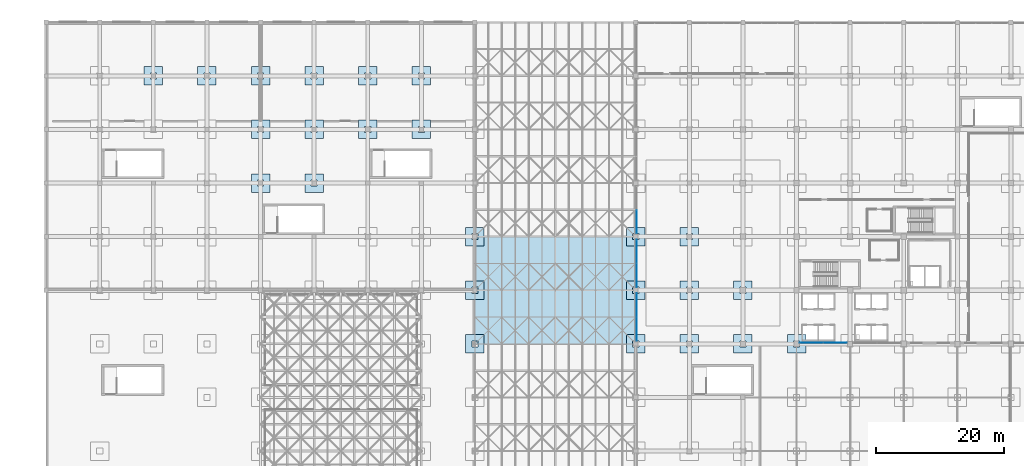
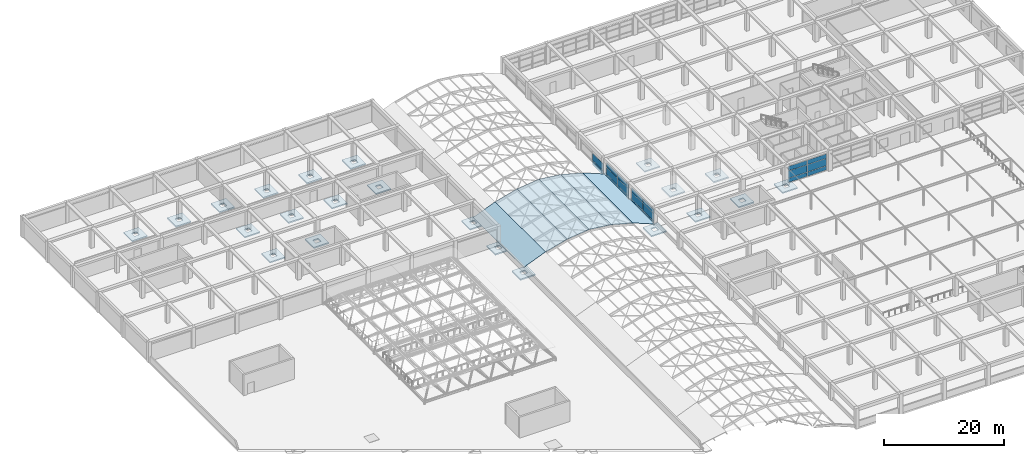
# One storey, part 68 of 85: 30 slabs, 20 plates, 5 elements without a shape of their own.
"""IFC4 building model written with IfcOpenShell, lengths in metres."""

from ifc_helpers import new_model, si_unit, direction, frame, origin, origin_2d, place, context, subcontext, project, spatial, polyline, rectangle, outline, extrude, material, layer, layer_set, type_object, element, aggregate, save


model = new_model("IFC4")

# Units and contexts
model_context = context("Model", 3, precision=1e-05, world=origin(), true_north=direction((0.0, 1.0)))
body_context = subcontext(model_context, "Body", "Model", "MODEL_VIEW")
ifc_project = project(units=[si_unit("LENGTHUNIT", "METRE"), si_unit("AREAUNIT", "SQUARE_METRE"), si_unit("VOLUMEUNIT", "CUBIC_METRE"), si_unit("PLANEANGLEUNIT", "RADIAN"), si_unit("MASSUNIT", "GRAM", prefix="KILO")], contexts=[model_context])

# Site, building, storey
site_placement = place(None, origin())
site = spatial("IfcSite", under=ifc_project, at=site_placement, CompositionType="ELEMENT")
building_placement = place(site_placement, origin())
building = spatial("IfcBuilding", under=site, at=building_placement, Name="Almacenes y Pasaje Nevantli", CompositionType="ELEMENT")
storey_placement = place(building_placement, frame((0.0, 0.0, 22.199951171875)))
storey = spatial("IfcBuildingStorey", under=building, at=storey_placement, Name="L05", CompositionType="ELEMENT", Elevation=22.199951171875)

# Curtain wall, plates
ifc_material_1 = material(Name="Thermally Broken Aluminium and Low-E Glass", Category="aluminium")
curtain_wall_type_1 = type_object("IfcCurtainWallType", Name="CW-STF-ATRIUM", PredefinedType="USERDEFINED", material=ifc_material_1)
curtain_wall_1_placement = place(storey_placement, origin())
curtain_wall_1 = element("IfcCurtainWall", 1, at=curtain_wall_1_placement, inside=storey, type_object=curtain_wall_type_1, Name="L05 Sky-Lobby South Terrace Glazing Bay 15", ObjectType="STOREFRONT GLAZING", PredefinedType="USERDEFINED")
ifc_material_2 = material(Name="Low-E Double Glazed Insulated Unit", Category="glass")
ifc_layer_1 = layer(ifc_material_2, 0.031982421875)
ifc_layer_set_1 = layer_set([ifc_layer_1], Name="Low-E Double Glazed Insulated Unit")
plate_type = type_object("IfcPlateType", Name="PL-IGU-32", PredefinedType="CURTAIN_PANEL", material=ifc_layer_set_1)
plate_1_placement = place(storey_placement, frame((119.938720703125, 67.35009765625, 0.05517578125), z_axis=(0.0, 0.0, 1.0), x_axis=(1.0, 0.0, 0.0)))
plate_1 = element("IfcPlate", 2, at=plate_1_placement, type_object=plate_type, Name="CW-L05-087 panel 1.1", PredefinedType="CURTAIN_PANEL", context=body_context, shape_type="SweptSolid", body=[
    extrude(rectangle(XDim=3.66748046875, YDim=0.031982421875, at=origin_2d()), origin(), (0.0, 0.0, 1.0), 0.8173828125),
])
plate_2_placement = place(storey_placement, frame((119.938720703125, 67.35009765625, 0.927734375), z_axis=(0.0, 0.0, 1.0), x_axis=(1.0, 0.0, 0.0)))
plate_2 = element("IfcPlate", 3, at=plate_2_placement, type_object=plate_type, Name="CW-L05-087 panel 1.2", PredefinedType="CURTAIN_PANEL", context=body_context, shape_type="SweptSolid", body=[
    extrude(rectangle(XDim=3.66748046875, YDim=0.031982421875, at=origin_2d()), origin(), (0.0, 0.0, 1.0), 1.445068359375),
])
plate_3_placement = place(storey_placement, frame((119.938720703125, 67.35009765625, 2.427734375), z_axis=(0.0, 0.0, 1.0), x_axis=(1.0, 0.0, 0.0)))
plate_3 = element("IfcPlate", 4, at=plate_3_placement, type_object=plate_type, Name="CW-L05-087 panel 1.3", PredefinedType="CURTAIN_PANEL", context=body_context, shape_type="SweptSolid", body=[
    extrude(rectangle(XDim=3.66748046875, YDim=0.031982421875, at=origin_2d()), origin(), (0.0, 0.0, 1.0), 0.887451171875),
])
plate_4_placement = place(storey_placement, frame((123.6611328125, 67.35009765625, 0.05517578125), z_axis=(0.0, 0.0, 1.0), x_axis=(1.0, 0.0, 0.0)))
plate_4 = element("IfcPlate", 5, at=plate_4_placement, type_object=plate_type, Name="CW-L05-087 panel 2.1", PredefinedType="CURTAIN_PANEL", context=body_context, shape_type="SweptSolid", body=[
    extrude(rectangle(XDim=3.66748046875, YDim=0.031982421875, at=origin_2d()), origin(), (0.0, 0.0, 1.0), 0.8173828125),
])
plate_5_placement = place(storey_placement, frame((123.6611328125, 67.35009765625, 0.927734375), z_axis=(0.0, 0.0, 1.0), x_axis=(1.0, 0.0, 0.0)))
plate_5 = element("IfcPlate", 6, at=plate_5_placement, type_object=plate_type, Name="CW-L05-087 panel 2.2", PredefinedType="CURTAIN_PANEL", context=body_context, shape_type="SweptSolid", body=[
    extrude(rectangle(XDim=3.66748046875, YDim=0.031982421875, at=origin_2d()), origin(), (0.0, 0.0, 1.0), 1.445068359375),
])
plate_6_placement = place(storey_placement, frame((123.6611328125, 67.35009765625, 2.427734375), z_axis=(0.0, 0.0, 1.0), x_axis=(1.0, 0.0, 0.0)))
plate_6 = element("IfcPlate", 7, at=plate_6_placement, type_object=plate_type, Name="CW-L05-087 panel 2.3", PredefinedType="CURTAIN_PANEL", context=body_context, shape_type="SweptSolid", body=[
    extrude(rectangle(XDim=3.66748046875, YDim=0.031982421875, at=origin_2d()), origin(), (0.0, 0.0, 1.0), 0.887451171875),
])
aggregate(curtain_wall_1, [plate_1, plate_2, plate_3, plate_4, plate_5, plate_6])

ifc_material_3 = material(Name="Thermally Broken Aluminium and Low-E Glass", Category="aluminium")
curtain_wall_type_2 = type_object("IfcCurtainWallType", Name="CW-UNIT-PODIUM", PredefinedType="USERDEFINED", material=ifc_material_3)
curtain_wall_2_placement = place(storey_placement, origin())
curtain_wall_2 = element("IfcCurtainWall", 8, at=curtain_wall_2_placement, inside=storey, type_object=curtain_wall_type_2, Name="L05 Sky-Lobby West Arcade View Curtain Wall Bay 9", ObjectType="UNITIZED CURTAIN WALL", PredefinedType="USERDEFINED")
plate_7_placement = place(storey_placement, frame((92.550048828125, 69.538818359375, 0.05517578125), z_axis=(0.0, 0.0, 1.0), x_axis=(0.0, 1.0, 0.0)))
plate_7 = element("IfcPlate", 9, at=plate_7_placement, type_object=plate_type, Name="CW-L05-096 panel 1.1", PredefinedType="CURTAIN_PANEL", context=body_context, shape_type="SweptSolid", body=[
    extrude(rectangle(XDim=3.66748046875, YDim=0.031982421875, at=origin_2d()), origin(), (0.0, 0.0, 1.0), 0.8173828125),
])
plate_8_placement = place(storey_placement, frame((92.550048828125, 69.538818359375, 0.927734375), z_axis=(0.0, 0.0, 1.0), x_axis=(0.0, 1.0, 0.0)))
plate_8 = element("IfcPlate", 10, at=plate_8_placement, type_object=plate_type, Name="CW-L05-096 panel 1.2", PredefinedType="CURTAIN_PANEL", context=body_context, shape_type="SweptSolid", body=[
    extrude(rectangle(XDim=3.66748046875, YDim=0.031982421875, at=origin_2d()), origin(), (0.0, 0.0, 1.0), 1.445068359375),
])
plate_9_placement = place(storey_placement, frame((92.550048828125, 69.538818359375, 2.427734375), z_axis=(0.0, 0.0, 1.0), x_axis=(0.0, 1.0, 0.0)))
plate_9 = element("IfcPlate", 11, at=plate_9_placement, type_object=plate_type, Name="CW-L05-096 panel 1.3", PredefinedType="CURTAIN_PANEL", context=body_context, shape_type="SweptSolid", body=[
    extrude(rectangle(XDim=3.66748046875, YDim=0.031982421875, at=origin_2d()), origin(), (0.0, 0.0, 1.0), 0.887451171875),
])
plate_10_placement = place(storey_placement, frame((92.550048828125, 73.26123046875, 0.05517578125), z_axis=(0.0, 0.0, 1.0), x_axis=(0.0, 1.0, 0.0)))
plate_10 = element("IfcPlate", 12, at=plate_10_placement, type_object=plate_type, Name="CW-L05-096 panel 2.1", PredefinedType="CURTAIN_PANEL", context=body_context, shape_type="SweptSolid", body=[
    extrude(rectangle(XDim=3.66748046875, YDim=0.031982421875, at=origin_2d()), origin(), (0.0, 0.0, 1.0), 0.8173828125),
])
plate_11_placement = place(storey_placement, frame((92.550048828125, 73.26123046875, 0.927734375), z_axis=(0.0, 0.0, 1.0), x_axis=(0.0, 1.0, 0.0)))
plate_11 = element("IfcPlate", 13, at=plate_11_placement, type_object=plate_type, Name="CW-L05-096 panel 2.2", PredefinedType="CURTAIN_PANEL", context=body_context, shape_type="SweptSolid", body=[
    extrude(rectangle(XDim=3.66748046875, YDim=0.031982421875, at=origin_2d()), origin(), (0.0, 0.0, 1.0), 1.445068359375),
])
plate_12_placement = place(storey_placement, frame((92.550048828125, 73.26123046875, 2.427734375), z_axis=(0.0, 0.0, 1.0), x_axis=(0.0, 1.0, 0.0)))
plate_12 = element("IfcPlate", 14, at=plate_12_placement, type_object=plate_type, Name="CW-L05-096 panel 2.3", PredefinedType="CURTAIN_PANEL", context=body_context, shape_type="SweptSolid", body=[
    extrude(rectangle(XDim=3.66748046875, YDim=0.031982421875, at=origin_2d()), origin(), (0.0, 0.0, 1.0), 0.887451171875),
])
aggregate(curtain_wall_2, [plate_7, plate_8, plate_9, plate_10, plate_11, plate_12])

curtain_wall_3_placement = place(storey_placement, origin())
curtain_wall_3 = element("IfcCurtainWall", 15, at=curtain_wall_3_placement, inside=storey, type_object=curtain_wall_type_2, Name="L05 Sky-Lobby West Arcade View Curtain Wall Bay 10", ObjectType="UNITIZED CURTAIN WALL", PredefinedType="USERDEFINED")
plate_13_placement = place(storey_placement, frame((92.550048828125, 77.938720703125, 0.05517578125), z_axis=(0.0, 0.0, 1.0), x_axis=(0.0, 1.0, 0.0)))
plate_13 = element("IfcPlate", 16, at=plate_13_placement, type_object=plate_type, Name="CW-L05-097 panel 1.1", PredefinedType="CURTAIN_PANEL", context=body_context, shape_type="SweptSolid", body=[
    extrude(rectangle(XDim=3.66748046875, YDim=0.031982421875, at=origin_2d()), origin(), (0.0, 0.0, 1.0), 0.8173828125),
])
plate_14_placement = place(storey_placement, frame((92.550048828125, 77.938720703125, 0.927734375), z_axis=(0.0, 0.0, 1.0), x_axis=(0.0, 1.0, 0.0)))
plate_14 = element("IfcPlate", 17, at=plate_14_placement, type_object=plate_type, Name="CW-L05-097 panel 1.2", PredefinedType="CURTAIN_PANEL", context=body_context, shape_type="SweptSolid", body=[
    extrude(rectangle(XDim=3.66748046875, YDim=0.031982421875, at=origin_2d()), origin(), (0.0, 0.0, 1.0), 1.445068359375),
])
plate_15_placement = place(storey_placement, frame((92.550048828125, 77.938720703125, 2.427734375), z_axis=(0.0, 0.0, 1.0), x_axis=(0.0, 1.0, 0.0)))
plate_15 = element("IfcPlate", 18, at=plate_15_placement, type_object=plate_type, Name="CW-L05-097 panel 1.3", PredefinedType="CURTAIN_PANEL", context=body_context, shape_type="SweptSolid", body=[
    extrude(rectangle(XDim=3.66748046875, YDim=0.031982421875, at=origin_2d()), origin(), (0.0, 0.0, 1.0), 0.887451171875),
])
plate_16_placement = place(storey_placement, frame((92.550048828125, 81.6611328125, 0.05517578125), z_axis=(0.0, 0.0, 1.0), x_axis=(0.0, 1.0, 0.0)))
plate_16 = element("IfcPlate", 19, at=plate_16_placement, type_object=plate_type, Name="CW-L05-097 panel 2.1", PredefinedType="CURTAIN_PANEL", context=body_context, shape_type="SweptSolid", body=[
    extrude(rectangle(XDim=3.66748046875, YDim=0.031982421875, at=origin_2d()), origin(), (0.0, 0.0, 1.0), 0.8173828125),
])
plate_17_placement = place(storey_placement, frame((92.550048828125, 81.6611328125, 0.927734375), z_axis=(0.0, 0.0, 1.0), x_axis=(0.0, 1.0, 0.0)))
plate_17 = element("IfcPlate", 20, at=plate_17_placement, type_object=plate_type, Name="CW-L05-097 panel 2.2", PredefinedType="CURTAIN_PANEL", context=body_context, shape_type="SweptSolid", body=[
    extrude(rectangle(XDim=3.66748046875, YDim=0.031982421875, at=origin_2d()), origin(), (0.0, 0.0, 1.0), 1.445068359375),
])
plate_18_placement = place(storey_placement, frame((92.550048828125, 81.6611328125, 2.427734375), z_axis=(0.0, 0.0, 1.0), x_axis=(0.0, 1.0, 0.0)))
plate_18 = element("IfcPlate", 21, at=plate_18_placement, type_object=plate_type, Name="CW-L05-097 panel 2.3", PredefinedType="CURTAIN_PANEL", context=body_context, shape_type="SweptSolid", body=[
    extrude(rectangle(XDim=3.66748046875, YDim=0.031982421875, at=origin_2d()), origin(), (0.0, 0.0, 1.0), 0.887451171875),
])
aggregate(curtain_wall_3, [plate_13, plate_14, plate_15, plate_16, plate_17, plate_18])

curtain_wall_4_placement = place(storey_placement, origin())
curtain_wall_4 = element("IfcCurtainWall", 22, at=curtain_wall_4_placement, inside=storey, type_object=curtain_wall_type_2, Name="L05 Sky-Lobby West Arcade View Curtain Wall Bay 11", ObjectType="UNITIZED CURTAIN WALL", PredefinedType="USERDEFINED")
plate_19_placement = place(storey_placement, frame((92.550048828125, 86.3388671875, 0.05517578125), z_axis=(0.0, 0.0, 1.0), x_axis=(0.0, 1.0, 0.0)))
plate_19 = element("IfcPlate", 23, at=plate_19_placement, type_object=plate_type, Name="CW-L05-098 panel 1.1", PredefinedType="CURTAIN_PANEL", context=body_context, shape_type="SweptSolid", body=[
    extrude(rectangle(XDim=3.66748046875, YDim=0.031982421875, at=origin_2d()), origin(), (0.0, 0.0, 1.0), 0.8173828125),
])
plate_20_placement = place(storey_placement, frame((92.550048828125, 86.3388671875, 0.927734375), z_axis=(0.0, 0.0, 1.0), x_axis=(0.0, 1.0, 0.0)))
plate_20 = element("IfcPlate", 24, at=plate_20_placement, type_object=plate_type, Name="CW-L05-098 panel 1.2", PredefinedType="CURTAIN_PANEL", context=body_context, shape_type="SweptSolid", body=[
    extrude(rectangle(XDim=3.66748046875, YDim=0.031982421875, at=origin_2d()), origin(), (0.0, 0.0, 1.0), 1.445068359375),
])
aggregate(curtain_wall_4, [plate_19, plate_20])

# Slabs
ifc_material_4 = material(Name="Concrete C35/45", Category="concrete")
ifc_layer_2 = layer(ifc_material_4, 0.25)
ifc_layer_set_2 = layer_set([ifc_layer_2], Name="Concrete C35/45")
slab_type_1 = type_object("IfcSlabType", Name="SLB-DP-250", PredefinedType="USERDEFINED", material=ifc_layer_set_2)
slab_1_placement = place(storey_placement, frame((0.0, 0.0, -0.550048828125)))
element("IfcSlab", 25, at=slab_1_placement, inside=storey, type_object=slab_type_1, Name="L05 Punching-Shear Drop Panel DP-02 #941", ObjectType="DROP PANEL", PredefinedType="USERDEFINED", context=body_context, shape_type="SweptSolid", body=[
    extrude(outline(polyline([(15.35009765625, 107.75), (18.25, 107.75), (18.25, 110.64990234375), (15.35009765625, 110.64990234375), (15.35009765625, 107.75)]), holes=[polyline([(16.320068359375, 108.719970703125), (17.280029296875, 108.719970703125), (17.280029296875, 109.679931640625), (16.320068359375, 109.679931640625), (16.320068359375, 108.719970703125)])]), origin(), (0.0, 0.0, 1.0), 0.25),
])
slab_2_placement = place(storey_placement, frame((0.0, 0.0, -0.550048828125)))
element("IfcSlab", 26, at=slab_2_placement, inside=storey, type_object=slab_type_1, Name="L05 Punching-Shear Drop Panel DP-02 #952", ObjectType="DROP PANEL", PredefinedType="USERDEFINED", context=body_context, shape_type="SweptSolid", body=[
    extrude(outline(polyline([(23.75, 107.75), (26.64990234375, 107.75), (26.64990234375, 110.64990234375), (23.75, 110.64990234375), (23.75, 107.75)]), holes=[polyline([(24.719970703125, 108.719970703125), (25.679931640625, 108.719970703125), (25.679931640625, 109.679931640625), (24.719970703125, 109.679931640625), (24.719970703125, 108.719970703125)])]), origin(), (0.0, 0.0, 1.0), 0.25),
])
slab_3_placement = place(storey_placement, frame((0.0, 0.0, -0.550048828125)))
element("IfcSlab", 27, at=slab_3_placement, inside=storey, type_object=slab_type_1, Name="L05 Punching-Shear Drop Panel DP-02 #961", ObjectType="DROP PANEL", PredefinedType="USERDEFINED", context=body_context, shape_type="SweptSolid", body=[
    extrude(outline(polyline([(32.14990234375, 90.949951171875), (35.050048828125, 90.949951171875), (35.050048828125, 93.85009765625), (32.14990234375, 93.85009765625), (32.14990234375, 90.949951171875)]), holes=[polyline([(33.1201171875, 91.919921875), (34.080078125, 91.919921875), (34.080078125, 92.8798828125), (33.1201171875, 92.8798828125), (33.1201171875, 91.919921875)])]), origin(), (0.0, 0.0, 1.0), 0.25),
])
slab_4_placement = place(storey_placement, frame((0.0, 0.0, -0.550048828125)))
element("IfcSlab", 28, at=slab_4_placement, inside=storey, type_object=slab_type_1, Name="L05 Punching-Shear Drop Panel DP-02 #962", ObjectType="DROP PANEL", PredefinedType="USERDEFINED", context=body_context, shape_type="SweptSolid", body=[
    extrude(outline(polyline([(32.14990234375, 99.35009765625), (35.050048828125, 99.35009765625), (35.050048828125, 102.25), (32.14990234375, 102.25), (32.14990234375, 99.35009765625)]), holes=[polyline([(33.1201171875, 100.320068359375), (34.080078125, 100.320068359375), (34.080078125, 101.280029296875), (33.1201171875, 101.280029296875), (33.1201171875, 100.320068359375)])]), origin(), (0.0, 0.0, 1.0), 0.25),
])
slab_5_placement = place(storey_placement, frame((0.0, 0.0, -0.550048828125)))
element("IfcSlab", 29, at=slab_5_placement, inside=storey, type_object=slab_type_1, Name="L05 Punching-Shear Drop Panel DP-02 #963", ObjectType="DROP PANEL", PredefinedType="USERDEFINED", context=body_context, shape_type="SweptSolid", body=[
    extrude(outline(polyline([(32.14990234375, 107.75), (35.050048828125, 107.75), (35.050048828125, 110.64990234375), (32.14990234375, 110.64990234375), (32.14990234375, 107.75)]), holes=[polyline([(33.1201171875, 108.719970703125), (34.080078125, 108.719970703125), (34.080078125, 109.679931640625), (33.1201171875, 109.679931640625), (33.1201171875, 108.719970703125)])]), origin(), (0.0, 0.0, 1.0), 0.25),
])
slab_6_placement = place(storey_placement, frame((0.0, 0.0, -0.550048828125)))
element("IfcSlab", 30, at=slab_6_placement, inside=storey, type_object=slab_type_1, Name="L05 Punching-Shear Drop Panel DP-02 #969", ObjectType="DROP PANEL", PredefinedType="USERDEFINED", context=body_context, shape_type="SweptSolid", body=[
    extrude(outline(polyline([(40.550048828125, 90.949951171875), (43.449951171875, 90.949951171875), (43.449951171875, 93.85009765625), (40.550048828125, 93.85009765625), (40.550048828125, 90.949951171875)]), holes=[polyline([(41.52001953125, 91.919921875), (42.47998046875, 91.919921875), (42.47998046875, 92.8798828125), (41.52001953125, 92.8798828125), (41.52001953125, 91.919921875)])]), origin(), (0.0, 0.0, 1.0), 0.25),
])
slab_7_placement = place(storey_placement, frame((0.0, 0.0, -0.550048828125)))
element("IfcSlab", 31, at=slab_7_placement, inside=storey, type_object=slab_type_1, Name="L05 Punching-Shear Drop Panel DP-02 #970", ObjectType="DROP PANEL", PredefinedType="USERDEFINED", context=body_context, shape_type="SweptSolid", body=[
    extrude(outline(polyline([(40.550048828125, 99.35009765625), (43.449951171875, 99.35009765625), (43.449951171875, 102.25), (40.550048828125, 102.25), (40.550048828125, 99.35009765625)]), holes=[polyline([(41.52001953125, 100.320068359375), (42.47998046875, 100.320068359375), (42.47998046875, 101.280029296875), (41.52001953125, 101.280029296875), (41.52001953125, 100.320068359375)])]), origin(), (0.0, 0.0, 1.0), 0.25),
])
slab_8_placement = place(storey_placement, frame((0.0, 0.0, -0.550048828125)))
element("IfcSlab", 32, at=slab_8_placement, inside=storey, type_object=slab_type_1, Name="L05 Punching-Shear Drop Panel DP-02 #971", ObjectType="DROP PANEL", PredefinedType="USERDEFINED", context=body_context, shape_type="SweptSolid", body=[
    extrude(outline(polyline([(40.550048828125, 107.75), (43.449951171875, 107.75), (43.449951171875, 110.64990234375), (40.550048828125, 110.64990234375), (40.550048828125, 107.75)]), holes=[polyline([(41.52001953125, 108.719970703125), (42.47998046875, 108.719970703125), (42.47998046875, 109.679931640625), (41.52001953125, 109.679931640625), (41.52001953125, 108.719970703125)])]), origin(), (0.0, 0.0, 1.0), 0.25),
])
slab_9_placement = place(storey_placement, frame((0.0, 0.0, -0.550048828125)))
element("IfcSlab", 33, at=slab_9_placement, inside=storey, type_object=slab_type_1, Name="L05 Punching-Shear Drop Panel DP-02 #978", ObjectType="DROP PANEL", PredefinedType="USERDEFINED", context=body_context, shape_type="SweptSolid", body=[
    extrude(outline(polyline([(48.949951171875, 99.35009765625), (51.85009765625, 99.35009765625), (51.85009765625, 102.25), (48.949951171875, 102.25), (48.949951171875, 99.35009765625)]), holes=[polyline([(49.919921875, 100.320068359375), (50.8798828125, 100.320068359375), (50.8798828125, 101.280029296875), (49.919921875, 101.280029296875), (49.919921875, 100.320068359375)])]), origin(), (0.0, 0.0, 1.0), 0.25),
])
slab_10_placement = place(storey_placement, frame((0.0, 0.0, -0.550048828125)))
element("IfcSlab", 34, at=slab_10_placement, inside=storey, type_object=slab_type_1, Name="L05 Punching-Shear Drop Panel DP-02 #979", ObjectType="DROP PANEL", PredefinedType="USERDEFINED", context=body_context, shape_type="SweptSolid", body=[
    extrude(outline(polyline([(48.949951171875, 107.75), (51.85009765625, 107.75), (51.85009765625, 110.64990234375), (48.949951171875, 110.64990234375), (48.949951171875, 107.75)]), holes=[polyline([(49.919921875, 108.719970703125), (50.8798828125, 108.719970703125), (50.8798828125, 109.679931640625), (49.919921875, 109.679931640625), (49.919921875, 108.719970703125)])]), origin(), (0.0, 0.0, 1.0), 0.25),
])
slab_11_placement = place(storey_placement, frame((0.0, 0.0, -0.550048828125)))
element("IfcSlab", 35, at=slab_11_placement, inside=storey, type_object=slab_type_1, Name="L05 Punching-Shear Drop Panel DP-02 #990", ObjectType="DROP PANEL", PredefinedType="USERDEFINED", context=body_context, shape_type="SweptSolid", body=[
    extrude(outline(polyline([(57.35009765625, 99.35009765625), (60.25, 99.35009765625), (60.25, 102.25), (57.35009765625, 102.25), (57.35009765625, 99.35009765625)]), holes=[polyline([(58.320068359375, 100.320068359375), (59.280029296875, 100.320068359375), (59.280029296875, 101.280029296875), (58.320068359375, 101.280029296875), (58.320068359375, 100.320068359375)])]), origin(), (0.0, 0.0, 1.0), 0.25),
])
slab_12_placement = place(storey_placement, frame((0.0, 0.0, -0.550048828125)))
element("IfcSlab", 36, at=slab_12_placement, inside=storey, type_object=slab_type_1, Name="L05 Punching-Shear Drop Panel DP-02 #991", ObjectType="DROP PANEL", PredefinedType="USERDEFINED", context=body_context, shape_type="SweptSolid", body=[
    extrude(outline(polyline([(57.35009765625, 107.75), (60.25, 107.75), (60.25, 110.64990234375), (57.35009765625, 110.64990234375), (57.35009765625, 107.75)]), holes=[polyline([(58.320068359375, 108.719970703125), (59.280029296875, 108.719970703125), (59.280029296875, 109.679931640625), (58.320068359375, 109.679931640625), (58.320068359375, 108.719970703125)])]), origin(), (0.0, 0.0, 1.0), 0.25),
])
slab_13_placement = place(storey_placement, frame((0.0, 0.0, -0.550048828125)))
element("IfcSlab", 37, at=slab_13_placement, inside=storey, type_object=slab_type_1, Name="L05 Punching-Shear Drop Panel DP-02 #999", ObjectType="DROP PANEL", PredefinedType="USERDEFINED", context=body_context, shape_type="SweptSolid", body=[
    extrude(outline(polyline([(65.75, 65.75), (68.64990234375, 65.75), (68.64990234375, 68.64990234375), (65.75, 68.64990234375), (65.75, 65.75)]), holes=[polyline([(66.719970703125, 66.719970703125), (67.679931640625, 66.719970703125), (67.679931640625, 67.679931640625), (66.719970703125, 67.679931640625), (66.719970703125, 66.719970703125)])]), origin(), (0.0, 0.0, 1.0), 0.25),
])
slab_14_placement = place(storey_placement, frame((0.0, 0.0, -0.550048828125)))
element("IfcSlab", 38, at=slab_14_placement, inside=storey, type_object=slab_type_1, Name="L05 Punching-Shear Drop Panel DP-02 #1000", ObjectType="DROP PANEL", PredefinedType="USERDEFINED", context=body_context, shape_type="SweptSolid", body=[
    extrude(outline(polyline([(65.75, 74.14990234375), (68.64990234375, 74.14990234375), (68.64990234375, 77.050048828125), (65.75, 77.050048828125), (65.75, 74.14990234375)]), holes=[polyline([(66.719970703125, 75.1201171875), (67.679931640625, 75.1201171875), (67.679931640625, 76.080078125), (66.719970703125, 76.080078125), (66.719970703125, 75.1201171875)])]), origin(), (0.0, 0.0, 1.0), 0.25),
])
slab_15_placement = place(storey_placement, frame((0.0, 0.0, -0.550048828125)))
element("IfcSlab", 39, at=slab_15_placement, inside=storey, type_object=slab_type_1, Name="L05 Punching-Shear Drop Panel DP-02 #1001", ObjectType="DROP PANEL", PredefinedType="USERDEFINED", context=body_context, shape_type="SweptSolid", body=[
    extrude(outline(polyline([(65.75, 82.550048828125), (68.64990234375, 82.550048828125), (68.64990234375, 85.449951171875), (65.75, 85.449951171875), (65.75, 82.550048828125)]), holes=[polyline([(66.719970703125, 83.52001953125), (67.679931640625, 83.52001953125), (67.679931640625, 84.47998046875), (66.719970703125, 84.47998046875), (66.719970703125, 83.52001953125)])]), origin(), (0.0, 0.0, 1.0), 0.25),
])
slab_16_placement = place(storey_placement, frame((0.0, 0.0, -0.550048828125)))
element("IfcSlab", 40, at=slab_16_placement, inside=storey, type_object=slab_type_1, Name="L05 Punching-Shear Drop Panel DP-02 #1011", ObjectType="DROP PANEL", PredefinedType="USERDEFINED", context=body_context, shape_type="SweptSolid", body=[
    extrude(outline(polyline([(90.949951171875, 65.75), (93.85009765625, 65.75), (93.85009765625, 68.64990234375), (90.949951171875, 68.64990234375), (90.949951171875, 65.75)]), holes=[polyline([(91.919921875, 66.719970703125), (92.8798828125, 66.719970703125), (92.8798828125, 67.679931640625), (91.919921875, 67.679931640625), (91.919921875, 66.719970703125)])]), origin(), (0.0, 0.0, 1.0), 0.25),
])
slab_17_placement = place(storey_placement, frame((0.0, 0.0, -0.550048828125)))
element("IfcSlab", 41, at=slab_17_placement, inside=storey, type_object=slab_type_1, Name="L05 Punching-Shear Drop Panel DP-02 #1012", ObjectType="DROP PANEL", PredefinedType="USERDEFINED", context=body_context, shape_type="SweptSolid", body=[
    extrude(outline(polyline([(90.949951171875, 74.14990234375), (93.85009765625, 74.14990234375), (93.85009765625, 77.050048828125), (90.949951171875, 77.050048828125), (90.949951171875, 74.14990234375)]), holes=[polyline([(91.919921875, 75.1201171875), (92.8798828125, 75.1201171875), (92.8798828125, 76.080078125), (91.919921875, 76.080078125), (91.919921875, 75.1201171875)])]), origin(), (0.0, 0.0, 1.0), 0.25),
])
slab_18_placement = place(storey_placement, frame((0.0, 0.0, -0.550048828125)))
element("IfcSlab", 42, at=slab_18_placement, inside=storey, type_object=slab_type_1, Name="L05 Punching-Shear Drop Panel DP-02 #1013", ObjectType="DROP PANEL", PredefinedType="USERDEFINED", context=body_context, shape_type="SweptSolid", body=[
    extrude(outline(polyline([(90.949951171875, 82.550048828125), (93.85009765625, 82.550048828125), (93.85009765625, 85.449951171875), (90.949951171875, 85.449951171875), (90.949951171875, 82.550048828125)]), holes=[polyline([(91.919921875, 83.52001953125), (92.8798828125, 83.52001953125), (92.8798828125, 84.47998046875), (91.919921875, 84.47998046875), (91.919921875, 83.52001953125)])]), origin(), (0.0, 0.0, 1.0), 0.25),
])
slab_19_placement = place(storey_placement, frame((0.0, 0.0, -0.550048828125)))
element("IfcSlab", 43, at=slab_19_placement, inside=storey, type_object=slab_type_1, Name="L05 Punching-Shear Drop Panel DP-02 #1022", ObjectType="DROP PANEL", PredefinedType="USERDEFINED", context=body_context, shape_type="SweptSolid", body=[
    extrude(outline(polyline([(99.35009765625, 65.75), (102.25, 65.75), (102.25, 68.64990234375), (99.35009765625, 68.64990234375), (99.35009765625, 65.75)]), holes=[polyline([(100.320068359375, 66.719970703125), (101.280029296875, 66.719970703125), (101.280029296875, 67.679931640625), (100.320068359375, 67.679931640625), (100.320068359375, 66.719970703125)])]), origin(), (0.0, 0.0, 1.0), 0.25),
])
slab_20_placement = place(storey_placement, frame((0.0, 0.0, -0.550048828125)))
element("IfcSlab", 44, at=slab_20_placement, inside=storey, type_object=slab_type_1, Name="L05 Punching-Shear Drop Panel DP-02 #1023", ObjectType="DROP PANEL", PredefinedType="USERDEFINED", context=body_context, shape_type="SweptSolid", body=[
    extrude(outline(polyline([(99.35009765625, 74.14990234375), (102.25, 74.14990234375), (102.25, 77.050048828125), (99.35009765625, 77.050048828125), (99.35009765625, 74.14990234375)]), holes=[polyline([(100.320068359375, 75.1201171875), (101.280029296875, 75.1201171875), (101.280029296875, 76.080078125), (100.320068359375, 76.080078125), (100.320068359375, 75.1201171875)])]), origin(), (0.0, 0.0, 1.0), 0.25),
])
slab_21_placement = place(storey_placement, frame((0.0, 0.0, -0.550048828125)))
element("IfcSlab", 45, at=slab_21_placement, inside=storey, type_object=slab_type_1, Name="L05 Punching-Shear Drop Panel DP-02 #1024", ObjectType="DROP PANEL", PredefinedType="USERDEFINED", context=body_context, shape_type="SweptSolid", body=[
    extrude(outline(polyline([(99.35009765625, 82.550048828125), (102.25, 82.550048828125), (102.25, 85.449951171875), (99.35009765625, 85.449951171875), (99.35009765625, 82.550048828125)]), holes=[polyline([(100.320068359375, 83.52001953125), (101.280029296875, 83.52001953125), (101.280029296875, 84.47998046875), (100.320068359375, 84.47998046875), (100.320068359375, 83.52001953125)])]), origin(), (0.0, 0.0, 1.0), 0.25),
])
slab_22_placement = place(storey_placement, frame((0.0, 0.0, -0.550048828125)))
element("IfcSlab", 46, at=slab_22_placement, inside=storey, type_object=slab_type_1, Name="L05 Punching-Shear Drop Panel DP-02 #1034", ObjectType="DROP PANEL", PredefinedType="USERDEFINED", context=body_context, shape_type="SweptSolid", body=[
    extrude(outline(polyline([(107.75, 65.75), (110.64990234375, 65.75), (110.64990234375, 68.64990234375), (107.75, 68.64990234375), (107.75, 65.75)]), holes=[polyline([(108.719970703125, 66.719970703125), (109.679931640625, 66.719970703125), (109.679931640625, 67.679931640625), (108.719970703125, 67.679931640625), (108.719970703125, 66.719970703125)])]), origin(), (0.0, 0.0, 1.0), 0.25),
])
slab_23_placement = place(storey_placement, frame((0.0, 0.0, -0.550048828125)))
element("IfcSlab", 47, at=slab_23_placement, inside=storey, type_object=slab_type_1, Name="L05 Punching-Shear Drop Panel DP-02 #1035", ObjectType="DROP PANEL", PredefinedType="USERDEFINED", context=body_context, shape_type="SweptSolid", body=[
    extrude(outline(polyline([(107.75, 74.14990234375), (110.64990234375, 74.14990234375), (110.64990234375, 77.050048828125), (107.75, 77.050048828125), (107.75, 74.14990234375)]), holes=[polyline([(108.719970703125, 75.1201171875), (109.679931640625, 75.1201171875), (109.679931640625, 76.080078125), (108.719970703125, 76.080078125), (108.719970703125, 75.1201171875)])]), origin(), (0.0, 0.0, 1.0), 0.25),
])
slab_24_placement = place(storey_placement, frame((0.0, 0.0, -0.550048828125)))
element("IfcSlab", 48, at=slab_24_placement, inside=storey, type_object=slab_type_1, Name="L05 Punching-Shear Drop Panel DP-02 #1047", ObjectType="DROP PANEL", PredefinedType="USERDEFINED", context=body_context, shape_type="SweptSolid", body=[
    extrude(outline(polyline([(116.14990234375, 65.75), (119.050048828125, 65.75), (119.050048828125, 68.64990234375), (116.14990234375, 68.64990234375), (116.14990234375, 65.75)]), holes=[polyline([(117.1201171875, 66.719970703125), (118.080078125, 66.719970703125), (118.080078125, 67.679931640625), (117.1201171875, 67.679931640625), (117.1201171875, 66.719970703125)])]), origin(), (0.0, 0.0, 1.0), 0.25),
])

# Roof, slabs
ifc_material_5 = material(Name="Steel ASTM A992 and Insulated Safety Glass", Category="steel")
roof_type = type_object("IfcRoofType", Name="ROOF-BARREL-VAULT", PredefinedType="BARREL_ROOF", material=ifc_material_5)
roof_placement = place(storey_placement, origin())
roof = element("IfcRoof", 49, at=roof_placement, inside=storey, type_object=roof_type, Name="Arcade Barrel Vault Glazed Skylight Roof Zone 5", PredefinedType="BARREL_ROOF")
ifc_material_6 = material(Name="Tempered Insulated Hail Safety Glass", Category="glass")
ifc_layer_3 = layer(ifc_material_6, 0.080078125)
ifc_layer_set_3 = layer_set([ifc_layer_3], Name="Tempered Insulated Hail Safety Glass")
slab_type_2 = type_object("IfcSlabType", Name="SLB-ROOF-GLASS-80", PredefinedType="ROOF", material=ifc_layer_set_3)
slab_25_placement = place(storey_placement, frame((67.199951171875, 67.199951171875, 0.719970703125), z_axis=(-0.375233542792, 0.0, 0.926930303941), x_axis=(0.926930303941, 0.0, 0.375233542792)))
slab_25 = element("IfcSlab", 50, at=slab_25_placement, type_object=slab_type_2, Name="Arcade Barrel Vault Insulated Safety Glass Roof Panel 5.1", PredefinedType="ROOF", context=body_context, shape_type="SweptSolid", body=[
    extrude(outline(polyline([(0.0, 0.0), (4.531032326830295, 0.0), (4.531032326830295, 16.800048828125), (0.0, 16.800048828125), (0.0, 0.0)])), origin(), (0.0, 0.0, -1.0), 0.080078125),
])
slab_26_placement = place(storey_placement, frame((71.39990234375, 67.199951171875, 2.420166015625), z_axis=(-0.264056551336, 0.0, 0.964507199401), x_axis=(0.964507199401, 0.0, 0.264056551336)))
slab_26 = element("IfcSlab", 51, at=slab_26_placement, type_object=slab_type_2, Name="Arcade Barrel Vault Insulated Safety Glass Roof Panel 5.2", PredefinedType="ROOF", context=body_context, shape_type="SweptSolid", body=[
    extrude(outline(polyline([(0.0, 0.0), (4.35475786506078, 0.0), (4.35475786506078, 16.800048828125), (0.0, 16.800048828125), (0.0, 0.0)])), origin(), (0.0, 0.0, -1.0), 0.080078125),
])
slab_27_placement = place(storey_placement, frame((75.60009765625, 67.199951171875, 3.570068359375), z_axis=(-0.118214244908, 0.0, 0.99298811287), x_axis=(0.99298811287, 0.0, 0.118214244908)))
slab_27 = element("IfcSlab", 52, at=slab_27_placement, type_object=slab_type_2, Name="Arcade Barrel Vault Insulated Safety Glass Roof Panel 5.3", PredefinedType="ROOF", context=body_context, shape_type="SweptSolid", body=[
    extrude(outline(polyline([(0.0, 0.0), (4.229608710759683, 0.0), (4.229608710759683, 16.800048828125), (0.0, 16.800048828125), (0.0, 0.0)])), origin(), (0.0, 0.0, -1.0), 0.080078125),
])
slab_28_placement = place(storey_placement, frame((79.800048828125, 67.199951171875, 4.070068359375), z_axis=(0.118214244908, 0.0, 0.99298811287), x_axis=(0.99298811287, 0.0, -0.118214244908)))
slab_28 = element("IfcSlab", 53, at=slab_28_placement, type_object=slab_type_2, Name="Arcade Barrel Vault Insulated Safety Glass Roof Panel 5.4", PredefinedType="ROOF", context=body_context, shape_type="SweptSolid", body=[
    extrude(outline(polyline([(0.0, 0.0), (4.229608710759683, 0.0), (4.229608710759683, 16.800048828125), (0.0, 16.800048828125), (0.0, 0.0)])), origin(), (0.0, 0.0, -1.0), 0.080078125),
])
slab_29_placement = place(storey_placement, frame((84.0, 67.199951171875, 3.570068359375), z_axis=(0.264070830443, 0.0, 0.964503290046), x_axis=(0.964503290046, 0.0, -0.264070830443)))
slab_29 = element("IfcSlab", 54, at=slab_29_placement, type_object=slab_type_2, Name="Arcade Barrel Vault Insulated Safety Glass Roof Panel 5.5", PredefinedType="ROOF", context=body_context, shape_type="SweptSolid", body=[
    extrude(outline(polyline([(0.0, 0.0), (4.354522390147504, 0.0), (4.354522390147504, 16.800048828125), (0.0, 16.800048828125), (0.0, 0.0)])), origin(), (0.0, 0.0, -1.0), 0.080078125),
])
slab_30_placement = place(storey_placement, frame((88.199951171875, 67.199951171875, 2.420166015625), z_axis=(0.375233542792, 0.0, 0.926930303941), x_axis=(0.926930303941, 0.0, -0.375233542792)))
slab_30 = element("IfcSlab", 55, at=slab_30_placement, type_object=slab_type_2, Name="Arcade Barrel Vault Insulated Safety Glass Roof Panel 5.6", PredefinedType="ROOF", context=body_context, shape_type="SweptSolid", body=[
    extrude(outline(polyline([(0.0, 0.0), (4.531032326830295, 0.0), (4.531032326830295, 16.800048828125), (0.0, 16.800048828125), (0.0, 0.0)])), origin(), (0.0, 0.0, -1.0), 0.080078125),
])
aggregate(roof, [slab_25, slab_26, slab_27, slab_28, slab_29, slab_30])

save(model, "model.ifc")
